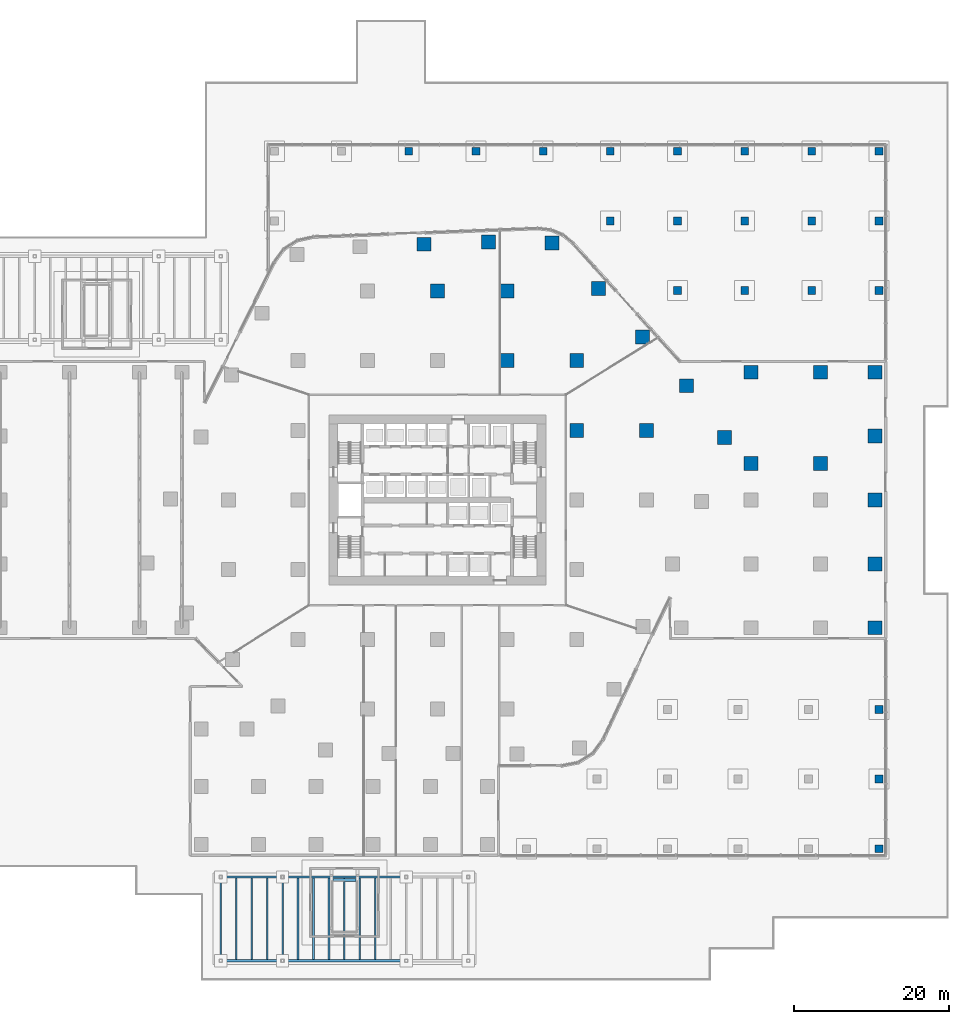
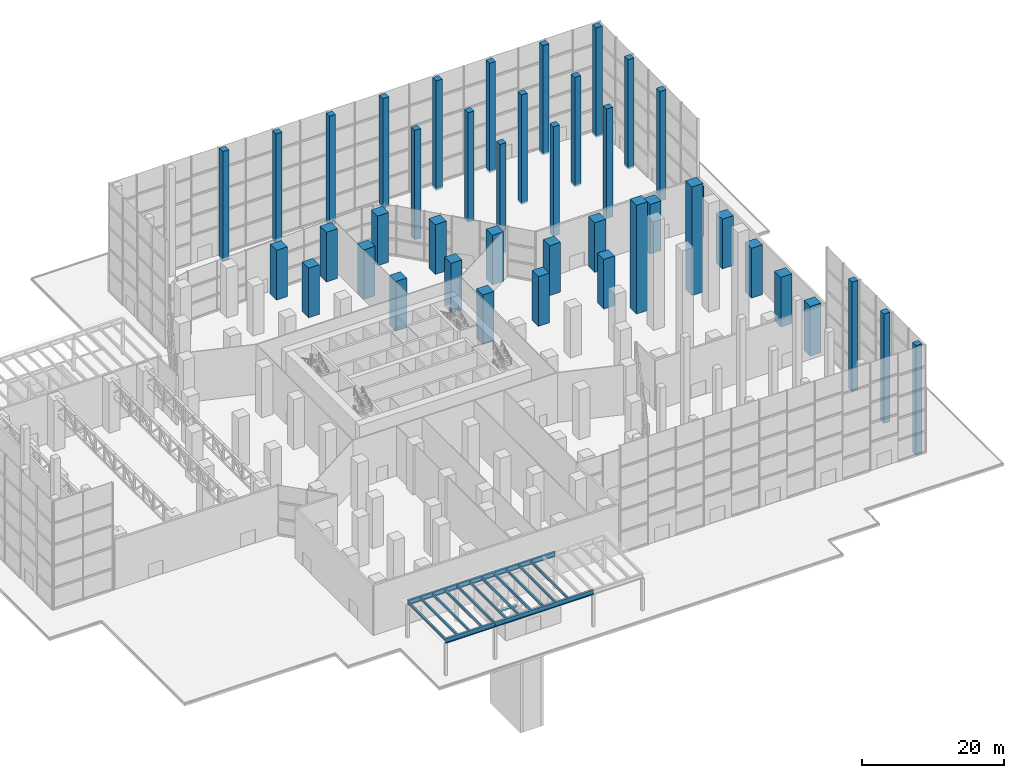
# One storey, part 8 of 40: 42 columns, 16 beams.
"""IFC4 building model written with IfcOpenShell, lengths in metres."""

from ifc_helpers import new_model, si_unit, direction, frame, origin, origin_2d, place, context, subcontext, project, spatial, rectangle, i_section, extrude, material, material_profile, profile_set, type_object, element, save


model = new_model("IFC4")

# Units and contexts
model_context = context("Model", 3, precision=1e-05, world=origin(), true_north=direction((0.0, 1.0)))
body_context = subcontext(model_context, "Body", "Model", "MODEL_VIEW")
ifc_project = project(units=[si_unit("LENGTHUNIT", "METRE"), si_unit("AREAUNIT", "SQUARE_METRE"), si_unit("VOLUMEUNIT", "CUBIC_METRE"), si_unit("PLANEANGLEUNIT", "RADIAN"), si_unit("MASSUNIT", "GRAM", prefix="KILO")], contexts=[model_context])

# Site, building, storey
site_placement = place(None, origin())
site = spatial("IfcSite", under=ifc_project, at=site_placement, CompositionType="ELEMENT")
building_placement = place(site_placement, origin())
building = spatial("IfcBuilding", under=site, at=building_placement, Name="Dongbaek Canopy Tower", CompositionType="ELEMENT")
storey_placement = place(building_placement, origin())
storey = spatial("IfcBuildingStorey", under=building, at=storey_placement, Name="L00", CompositionType="ELEMENT", Elevation=0.0)

# Columns
ifc_material_1 = material(Name="Concrete C80", Category="concrete")
ifc_material_profile_1 = material_profile(ifc_material_1, rectangle(XDim=1.800048828125, YDim=1.800048828125, at=origin_2d()), Name="RC COLUMN 1800x1800 C80")
ifc_profile_set_1 = profile_set([ifc_material_profile_1], Name="Concrete C80")
column_type_1 = type_object("IfcColumnType", Name="RC COLUMN 1800x1800 C80", PredefinedType="COLUMN", material=ifc_profile_set_1)
for number, where, z_axis, x_axis, name in (
    (1, (-1.7080078125, 33.031982421875, 0.0), (0.0, 0.0, 1.0), (1.0, 0.0, 0.0), "COL:CP-16:L00"),
    (2, (6.589111328125, 33.34912109375, 0.0), (0.0, 0.0, 1.0), (1.0, 0.0, 0.0), "COL:CP-17:L00"),
    (3, (14.830078125, 33.194091796875, 0.0), (0.0, 0.0, 1.0), (1.0, 0.0, 0.0), "COL:CP-18:L00"),
    (4, (20.804931640625, 27.297119140625, 0.0), (0.0, 0.0, 1.0), (1.0, 0.0, 0.0), "COL:CP-19:L00"),
    (5, (26.48193359375, 21.029052734375, 0.0), (0.0, 0.0, 1.0), (1.0, 0.0, 0.0), "COL:CP-20:L00"),
    (6, (32.157958984375, 14.760986328125, 0.0), (0.0, 0.0, 1.0), (1.0, 0.0, 0.0), "COL:CP-21:L00"),
    (7, (37.097900390625, 8.06591796875, 0.0), (0.0, 0.0, 1.0), (1.0, 0.0, 0.0), "COL:CP-22:L00"),
    (8, (0.0, 27.0, 0.0), (0.0, 0.0, 1.0), (1.0, 0.0, 0.0), "COL:CIP-15:L00"),
    (9, (9.0, 18.0, 0.0), (0.0, 0.0, 1.0), (1.0, 0.0, 0.0), "COL:CIP-18:L00"),
    (10, (9.0, 27.0, 0.0), (0.0, 0.0, 1.0), (1.0, 0.0, 0.0), "COL:CIP-19:L00"),
    (11, (18.0, 9.0, 0.0), (0.0, 0.0, 1.0), (1.0, 0.0, 0.0), "COL:CIP-23:L00"),
    (12, (18.0, 18.0, 0.0), (0.0, 0.0, 1.0), (1.0, 0.0, 0.0), "COL:CIP-24:L00"),
    (13, (27.0, 9.0, 0.0), (0.0, 0.0, 1.0), (1.0, 0.0, 0.0), "COL:CIP-26:L00"),
    (14, (40.5, 16.5, 0.0), (0.0, 0.0, 1.0), (1.0, 0.0, 0.0), "COL:CWEW-03:L00"),
    (15, (49.5, 16.5, 0.0), (0.0, 0.0, 1.0), (1.0, 0.0, 0.0), "COL:CWEW-05:L00"),
    (16, (56.5, -16.5, 0.0), (0.0, 0.0, 1.0), (1.0, 0.0, 0.0), "COL:CWEW-06:L00"),
    (17, (56.5, 16.5, 0.0), (0.0, 0.0, 1.0), (1.0, 0.0, 0.0), "COL:CWEW-07:L00"),
    (18, (56.5, -8.25, 0.0), (0.0, 0.0, 1.0), (1.0, 0.0, 0.0), "COL:CWEW-08:L00"),
    (19, (56.5, 0.0, 0.0), (0.0, 0.0, 1.0), (1.0, 0.0, 0.0), "COL:CWEW-09:L00"),
    (20, (56.5, 8.25, 0.0), (0.0, 0.0, 1.0), (1.0, 0.0, 0.0), "COL:CWEW-10:L00"),
):
    element("IfcColumn", number, at=place(storey_placement, frame(where, z_axis=z_axis, x_axis=x_axis)), inside=storey, type_object=column_type_1, Name=name, PredefinedType="COLUMN", context=body_context, shape_type="SweptSolid", body=[
        extrude(rectangle(XDim=1.800048828125, YDim=1.800048828125, at=origin_2d()), origin(), (0.0, 0.0, 1.0), 8.550048828125),
    ])
for number, where, z_axis, x_axis, name in (
    (21, (40.5, 4.699951171875, 0.0), (0.0, 0.0, 1.0), (1.0, 0.0, 0.0), "COL:CWEW-13:L00"),
    (22, (49.5, 4.699951171875, 0.0), (0.0, 0.0, 1.0), (1.0, 0.0, 0.0), "COL:CWEW-16:L00"),
):
    element("IfcColumn", number, at=place(storey_placement, frame(where, z_axis=z_axis, x_axis=x_axis)), inside=storey, type_object=column_type_1, Name=name, PredefinedType="COLUMN", context=body_context, shape_type="SweptSolid", body=[
        extrude(rectangle(XDim=1.800048828125, YDim=1.800048828125, at=origin_2d()), origin(), (0.0, 0.0, 1.0), 18.699951171875),
    ])
ifc_material_2 = material(Name="Concrete C60", Category="concrete")
ifc_material_profile_2 = material_profile(ifc_material_2, rectangle(XDim=1.0, YDim=1.0, at=origin_2d()), Name="RC HALL COLUMN 1000x1000 C60")
ifc_profile_set_2 = profile_set([ifc_material_profile_2], Name="Concrete C60")
column_type_2 = type_object("IfcColumnType", Name="RC HALL COLUMN 1000x1000 C60", PredefinedType="COLUMN", material=ifc_profile_set_2)
for number, where, z_axis, x_axis, name in (
    (23, (-3.694091796875, 45.050048828125, -0.300048828125), (0.0, 0.0, 1.0), (1.0, 0.0, 0.0), "Hall column 3"),
    (24, (4.98291015625, 45.050048828125, -0.300048828125), (0.0, 0.0, 1.0), (1.0, 0.0, 0.0), "Hall column 4"),
    (25, (13.660888671875, 45.050048828125, -0.300048828125), (0.0, 0.0, 1.0), (1.0, 0.0, 0.0), "Hall column 5"),
    (26, (22.339111328125, 45.050048828125, -0.300048828125), (0.0, 0.0, 1.0), (1.0, 0.0, 0.0), "Hall column 6"),
    (27, (31.01708984375, 45.050048828125, -0.300048828125), (0.0, 0.0, 1.0), (1.0, 0.0, 0.0), "Hall column 7"),
    (28, (39.694091796875, 45.050048828125, -0.300048828125), (0.0, 0.0, 1.0), (1.0, 0.0, 0.0), "Hall column 8"),
    (29, (48.3720703125, 45.050048828125, -0.300048828125), (0.0, 0.0, 1.0), (1.0, 0.0, 0.0), "Hall column 9"),
    (30, (57.050048828125, 45.050048828125, -0.300048828125), (0.0, 0.0, 1.0), (1.0, 0.0, 0.0), "Hall column 10"),
    (31, (22.339111328125, 36.050048828125, -0.300048828125), (0.0, 0.0, 1.0), (1.0, 0.0, 0.0), "Hall column 12"),
    (32, (31.01708984375, 36.050048828125, -0.300048828125), (0.0, 0.0, 1.0), (1.0, 0.0, 0.0), "Hall column 13"),
    (33, (39.694091796875, 36.050048828125, -0.300048828125), (0.0, 0.0, 1.0), (1.0, 0.0, 0.0), "Hall column 14"),
    (34, (48.3720703125, 36.050048828125, -0.300048828125), (0.0, 0.0, 1.0), (1.0, 0.0, 0.0), "Hall column 15"),
    (35, (57.050048828125, 36.050048828125, -0.300048828125), (0.0, 0.0, 1.0), (1.0, 0.0, 0.0), "Hall column 16"),
    (36, (31.01708984375, 27.050048828125, -0.300048828125), (0.0, 0.0, 1.0), (1.0, 0.0, 0.0), "Hall column 17"),
    (37, (39.694091796875, 27.050048828125, -0.300048828125), (0.0, 0.0, 1.0), (1.0, 0.0, 0.0), "Hall column 18"),
    (38, (48.3720703125, 27.050048828125, -0.300048828125), (0.0, 0.0, 1.0), (1.0, 0.0, 0.0), "Hall column 19"),
    (39, (57.050048828125, 27.050048828125, -0.300048828125), (0.0, 0.0, 1.0), (1.0, 0.0, 0.0), "Hall column 20"),
    (40, (57.050048828125, -45.050048828125, -0.300048828125), (0.0, 0.0, 1.0), (1.0, 0.0, 0.0), "Hall column 26"),
    (41, (57.050048828125, -36.050048828125, -0.300048828125), (0.0, 0.0, 1.0), (1.0, 0.0, 0.0), "Hall column 31"),
    (42, (57.050048828125, -27.050048828125, -0.300048828125), (0.0, 0.0, 1.0), (1.0, 0.0, 0.0), "Hall column 35"),
):
    element("IfcColumn", number, at=place(storey_placement, frame(where, z_axis=z_axis, x_axis=x_axis)), inside=storey, type_object=column_type_2, Name=name, PredefinedType="COLUMN", context=body_context, shape_type="SweptSolid", body=[
        extrude(rectangle(XDim=1.0, YDim=1.0, at=origin_2d()), origin(), (0.0, 0.0, 1.0), 18.85009765625),
    ])

# Beams
ifc_material_3 = material(Name="Steel S355", Category="steel")
ifc_material_profile_3 = material_profile(ifc_material_3, i_section(OverallWidth=0.199951171875, OverallDepth=0.449951171875, WebThickness=0.009033203125, FlangeThickness=0.013916015625, FilletRadius=0.01806640625, at=origin_2d()), Name="STATION CANOPY BEAM 450x200x9x14 Steel S355")
ifc_profile_set_3 = profile_set([ifc_material_profile_3], Name="Steel S355")
beam_type_1 = type_object("IfcBeamType", Name="STATION CANOPY BEAM 450x200x9x14 Steel S355", PredefinedType="BEAM", material=ifc_profile_set_3)
for number, where, z_axis, x_axis, name in (
    (43, (-28.0, -59.35009765625, 6.074951171875), (0.0, 1.0, 0.0), (-1.0, 0.0, 0.0), "Station canopy A beam 1"),
    (44, (-26.0, -59.35009765625, 6.074951171875), (0.0, 1.0, 0.0), (-1.0, 0.0, 0.0), "Station canopy A beam 2"),
    (45, (-24.0, -59.35009765625, 6.074951171875), (0.0, 1.0, 0.0), (-1.0, 0.0, 0.0), "Station canopy A beam 3"),
    (46, (-22.0, -59.35009765625, 6.074951171875), (0.0, 1.0, 0.0), (-1.0, 0.0, 0.0), "Station canopy A beam 4"),
    (47, (-20.0, -59.35009765625, 6.074951171875), (0.0, 1.0, 0.0), (-1.0, 0.0, 0.0), "Station canopy A beam 5"),
    (48, (-18.0, -59.35009765625, 6.074951171875), (0.0, 1.0, 0.0), (-1.0, 0.0, 0.0), "Station canopy A beam 6"),
    (49, (-16.0, -59.35009765625, 6.074951171875), (0.0, 1.0, 0.0), (-1.0, 0.0, 0.0), "Station canopy A beam 7"),
    (50, (-14.0, -59.35009765625, 6.074951171875), (0.0, 1.0, 0.0), (-1.0, 0.0, 0.0), "Station canopy A beam 8"),
    (51, (-12.0, -59.35009765625, 6.074951171875), (0.0, 1.0, 0.0), (-1.0, 0.0, 0.0), "Station canopy A beam 9"),
    (52, (-10.0, -59.35009765625, 6.074951171875), (0.0, 1.0, 0.0), (-1.0, 0.0, 0.0), "Station canopy A beam 10"),
    (53, (-8.0, -59.35009765625, 6.074951171875), (0.0, 1.0, 0.0), (-1.0, 0.0, 0.0), "Station canopy A beam 11"),
):
    element("IfcBeam", number, at=place(storey_placement, frame(where, z_axis=z_axis, x_axis=x_axis)), inside=storey, type_object=beam_type_1, Name=name, PredefinedType="BEAM", context=body_context, shape_type="SweptSolid", body=[
        extrude(i_section(OverallWidth=0.199951171875, OverallDepth=0.449951171875, WebThickness=0.009033203125, FlangeThickness=0.013916015625, FilletRadius=0.01806640625, at=origin_2d()), origin(), (0.0, 0.0, 1.0), 10.5),
    ])
ifc_material_4 = material(Name="Steel S355", Category="steel")
ifc_material_profile_4 = material_profile(ifc_material_4, i_section(OverallWidth=0.300048828125, OverallDepth=0.800048828125, WebThickness=0.013916015625, FlangeThickness=0.02587890625, FilletRadius=0.028076171875, at=origin_2d()), Name="STATION CANOPY GIRDER 800x300x14x26 Steel S355")
ifc_profile_set_4 = profile_set([ifc_material_profile_4], Name="Steel S355")
beam_type_2 = type_object("IfcBeamType", Name="STATION CANOPY GIRDER 800x300x14x26 Steel S355", PredefinedType="BEAM", material=ifc_profile_set_4)
beam_1_placement = place(storey_placement, frame((-28.0, -48.699951171875, 5.89990234375), z_axis=(1.0, 0.0, 0.0), x_axis=(0.0, 1.0, 0.0)))
element("IfcBeam", 54, at=beam_1_placement, inside=storey, type_object=beam_type_2, Name="Station canopy A girder 1", PredefinedType="BEAM", context=body_context, shape_type="SweptSolid", body=[
    extrude(i_section(OverallWidth=0.300048828125, OverallDepth=0.800048828125, WebThickness=0.013916015625, FlangeThickness=0.02587890625, FilletRadius=0.028076171875, at=origin_2d()), origin(), (0.0, 0.0, 1.0), 8.0),
])
beam_2_placement = place(storey_placement, frame((-20.0, -48.699951171875, 5.89990234375), z_axis=(1.0, 0.0, 0.0), x_axis=(0.0, 1.0, 0.0)))
element("IfcBeam", 55, at=beam_2_placement, inside=storey, type_object=beam_type_2, Name="Station canopy A girder 2", PredefinedType="BEAM", context=body_context, shape_type="SweptSolid", body=[
    extrude(i_section(OverallWidth=0.300048828125, OverallDepth=0.800048828125, WebThickness=0.013916015625, FlangeThickness=0.02587890625, FilletRadius=0.028076171875, at=origin_2d()), origin(), (0.0, 0.0, 1.0), 16.0),
])
beam_3_placement = place(storey_placement, frame((-28.0, -59.5, 5.89990234375), z_axis=(1.0, 0.0, 0.0), x_axis=(0.0, 1.0, 0.0)))
element("IfcBeam", 56, at=beam_3_placement, inside=storey, type_object=beam_type_2, Name="Station canopy A girder 4", PredefinedType="BEAM", context=body_context, shape_type="SweptSolid", body=[
    extrude(i_section(OverallWidth=0.300048828125, OverallDepth=0.800048828125, WebThickness=0.013916015625, FlangeThickness=0.02587890625, FilletRadius=0.028076171875, at=origin_2d()), origin(), (0.0, 0.0, 1.0), 8.0),
])
beam_4_placement = place(storey_placement, frame((-20.0, -59.5, 5.89990234375), z_axis=(1.0, 0.0, 0.0), x_axis=(0.0, 1.0, 0.0)))
element("IfcBeam", 57, at=beam_4_placement, inside=storey, type_object=beam_type_2, Name="Station canopy A girder 5", PredefinedType="BEAM", context=body_context, shape_type="SweptSolid", body=[
    extrude(i_section(OverallWidth=0.300048828125, OverallDepth=0.800048828125, WebThickness=0.013916015625, FlangeThickness=0.02587890625, FilletRadius=0.028076171875, at=origin_2d()), origin(), (0.0, 0.0, 1.0), 16.0),
])
ifc_material_5 = material(Name="Concrete C40/50", Category="concrete")
ifc_material_profile_5 = material_profile(ifc_material_5, rectangle(XDim=0.39990234375, YDim=0.300048828125, at=origin_2d()), Name="Stair well trimmer beam 400 x 300")
ifc_profile_set_5 = profile_set([ifc_material_profile_5], Name="Concrete C40/50")
beam_type_3 = type_object("IfcBeamType", Name="Stair well trimmer beam 400 x 300", PredefinedType="BEAM", material=ifc_profile_set_5)
beam_5_placement = place(storey_placement, frame((-13.5, -49.10009765625, -0.449951171875), z_axis=(1.0, 0.0, 0.0), x_axis=(0.0, 1.0, 0.0)))
element("IfcBeam", 58, at=beam_5_placement, inside=storey, type_object=beam_type_3, Name="Metro entrance A stair well trimmer beam", PredefinedType="BEAM", context=body_context, shape_type="SweptSolid", body=[
    extrude(rectangle(XDim=0.39990234375, YDim=0.300048828125, at=origin_2d()), origin(), (0.0, 0.0, 1.0), 3.0),
])

save(model, "model.ifc")
